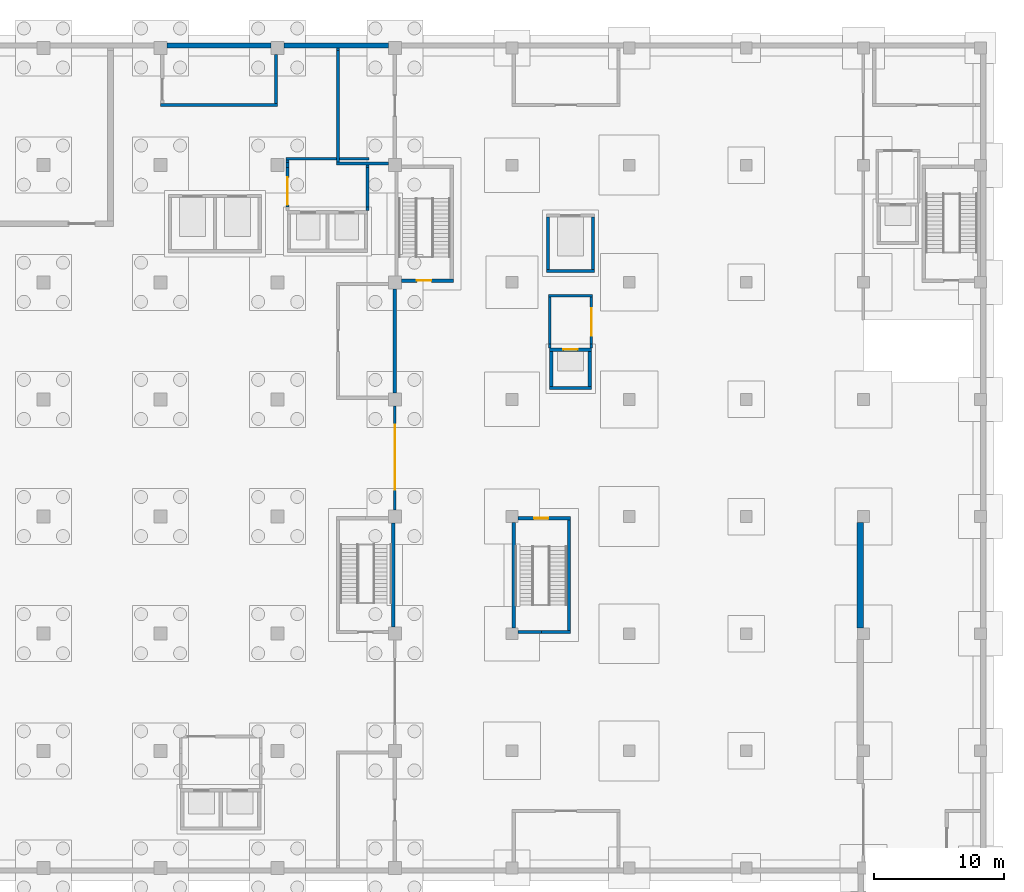
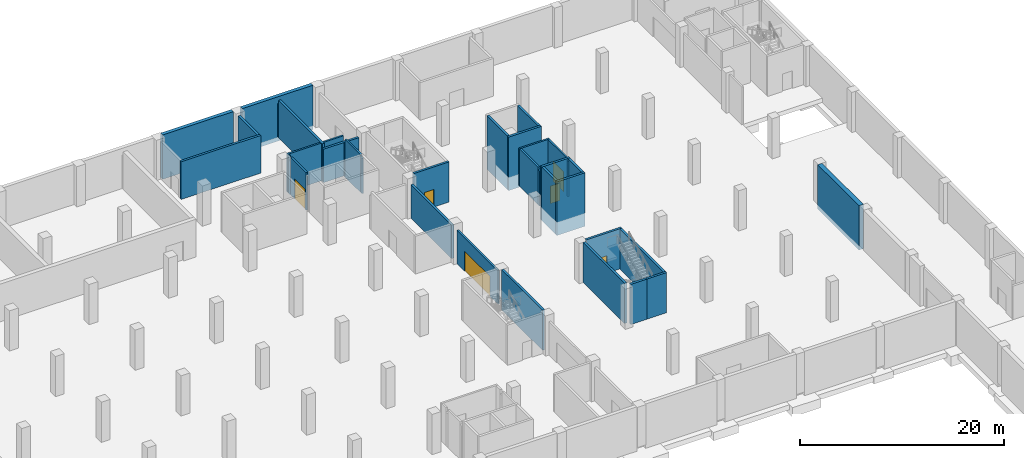
# One storey, part 10 of 17: 37 walls, 6 doors, 6 openings.
"""IFC4 building model written with IfcOpenShell, lengths in metres."""

from ifc_helpers import new_model, si_unit, direction, frame, frame_2d, origin, place, context, subcontext, project, spatial, rectangle, extrude, material, layer, layer_set, type_object, element, fill, save


model = new_model("IFC4")

# Units and contexts
model_context = context("Model", 3, precision=1e-05, world=origin(), true_north=direction((0.0, 1.0)))
body_context = subcontext(model_context, "Body", "Model", "MODEL_VIEW")
ifc_project = project(units=[si_unit("LENGTHUNIT", "METRE"), si_unit("AREAUNIT", "SQUARE_METRE"), si_unit("VOLUMEUNIT", "CUBIC_METRE"), si_unit("PLANEANGLEUNIT", "RADIAN"), si_unit("MASSUNIT", "GRAM", prefix="KILO")], contexts=[model_context])

# Site, building, storey
site_placement = place(None, origin())
site = spatial("IfcSite", under=ifc_project, at=site_placement, CompositionType="ELEMENT")
building_placement = place(site_placement, origin())
building = spatial("IfcBuilding", under=site, at=building_placement, Name="Guidao Yard Department Store", CompositionType="ELEMENT")
storey_placement = place(building_placement, frame((0.0, 0.0, -9.89990234375)))
storey = spatial("IfcBuildingStorey", under=building, at=storey_placement, Name="B2", CompositionType="ELEMENT", Elevation=-9.89990234375)

# Wall, opening, door
ifc_material_1 = material(Name="Autoclaved aerated concrete block A3.5 B06", Category="concrete")
ifc_layer_1 = layer(ifc_material_1, 0.199951171875)
ifc_layer_set_1 = layer_set([ifc_layer_1], Name="Compartment Fire Wall 200 Autoclaved Block EI 180")
wall_type_1 = type_object("IfcWallType", Name="Compartment Fire Wall 200 Autoclaved Block EI 180", PredefinedType="PARTITIONING", material=ifc_layer_set_1)
wall_1_placement = place(storey_placement, frame((63.0, 72.5, 0.0), z_axis=(0.0, 0.0, 1.0), x_axis=(0.0, 1.0, 0.0)))
wall_1 = element("IfcWall", 1, at=wall_1_placement, inside=storey, type_object=wall_type_1, Name="pt.wall.B2.0051", PredefinedType="PARTITIONING", context=body_context, shape_type="SweptSolid", body=[
    extrude(rectangle(XDim=8.0, YDim=0.199951171875, at=frame_2d((4.0, 0.0))), origin(), (0.0, 0.0, 1.0), 4.0),
])
opening_1_placement = place(wall_1_placement, frame((1.550048828125, 0.0, 0.0)))
opening_1 = element("IfcOpeningElement", 2, at=opening_1_placement, cuts=wall_1, Name="Opening B2-427", PredefinedType="OPENING", context=body_context, shape_type="SweptSolid", body=[
    extrude(rectangle(XDim=5.0, YDim=2.39990234375, at=frame_2d((2.5, 1.199951171875))), frame((0.0, 0.10986328125, 0.0), z_axis=(0.0, -1.0, 0.0), x_axis=(1.0, 0.0, 0.0)), (0.0, 0.0, 1.0), 0.219970703125),
])
ifc_material_2 = material(Name="Steel Q235", Category="steel")
door_type_1 = type_object("IfcDoorType", Name="Fire Shutter 5000 x 2400 FD90", OperationType="ROLLINGUP", PredefinedType="DOOR", material=ifc_material_2)
door_1_placement = place(opening_1_placement, origin())
door_1 = element("IfcDoor", 3, at=door_1_placement, inside=storey, type_object=door_type_1, Name="Door B2-427", OperationType="SINGLE_SWING_LEFT", OverallHeight=2.39990234375, OverallWidth=5.0, PredefinedType="DOOR", context=body_context, shape_type="SweptSolid", body=[
    extrude(rectangle(XDim=5.0, YDim=2.39990234375, at=frame_2d((2.5, 1.199951171875))), frame((0.0, 0.02490234375, 0.0), z_axis=(0.0, -1.0, 0.0), x_axis=(1.0, 0.0, 0.0)), (0.0, 0.0, 1.0), 0.050048828125),
])
fill(opening_1, door_1)

# Walls
ifc_material_3 = material(Name="Concrete C40", Category="concrete")
ifc_layer_2 = layer(ifc_material_3, 0.39990234375)
ifc_layer_set_2 = layer_set([ifc_layer_2], Name="Retaining wall 400 C40")
wall_type_2 = type_object("IfcWallType", Name="Retaining wall 400 C40", PredefinedType="SOLIDWALL", material=ifc_layer_set_2)
for number, where, z_axis, x_axis, name in (
    (4, (45.5, 108.199951171875, -0.5), (0.0, 0.0, 1.0), (1.0, 0.0, 0.0), "Retaining wall B2-055"),
    (5, (54.5, 108.199951171875, -0.5), (0.0, 0.0, 1.0), (1.0, 0.0, 0.0), "Retaining wall B2-056"),
):
    element("IfcWall", number, at=place(storey_placement, frame(where, z_axis=z_axis, x_axis=x_axis)), inside=storey, type_object=wall_type_2, Name=name, PredefinedType="SOLIDWALL", context=body_context, shape_type="SweptSolid", body=[
        extrude(rectangle(XDim=8.0, YDim=0.39990234375, at=frame_2d((4.0, 0.0))), origin(), (0.0, 0.0, 1.0), 5.2998046875),
    ])
ifc_material_4 = material(Name="Concrete C40", Category="concrete")
ifc_layer_3 = layer(ifc_material_4, 0.5)
ifc_layer_set_3 = layer_set([ifc_layer_3], Name="Retaining wall 500 C40")
wall_type_3 = type_object("IfcWallType", Name="Retaining wall 500 C40", PredefinedType="SOLIDWALL", material=ifc_layer_set_3)
wall_2_placement = place(storey_placement, frame((98.75, 63.449951171875, -0.5), z_axis=(0.0, 0.0, 1.0), x_axis=(0.0, 1.0, 0.0)))
element("IfcWall", 6, at=wall_2_placement, inside=storey, type_object=wall_type_3, Name="Ramp flank wall B2-068", PredefinedType="SOLIDWALL", context=body_context, shape_type="SweptSolid", body=[
    extrude(rectangle(XDim=8.10009765625, YDim=0.5, at=frame_2d((4.050048828125, 0.0))), origin(), (0.0, 0.0, 1.0), 5.2998046875),
])
ifc_material_5 = material(Name="Autoclaved aerated concrete block A3.5 B06", Category="concrete")
ifc_layer_4 = layer(ifc_material_5, 0.199951171875)
ifc_layer_set_4 = layer_set([ifc_layer_4], Name="Shaft Wall 200 Autoclaved Block EI 120")
wall_type_4 = type_object("IfcWallType", Name="Shaft Wall 200 Autoclaved Block EI 120", PredefinedType="PARTITIONING", material=ifc_layer_set_4)
wall_3_placement = place(storey_placement, frame((74.800048828125, 88.949951171875, 0.0), z_axis=(0.0, 0.0, 1.0), x_axis=(1.0, 0.0, 0.0)))
element("IfcWall", 7, at=wall_3_placement, inside=storey, type_object=wall_type_4, Name="pt.wall.B2.0019", PredefinedType="PARTITIONING", context=body_context, shape_type="SweptSolid", body=[
    extrude(rectangle(XDim=3.39990234375, YDim=0.199951171875, at=frame_2d((1.699951171875, 0.0))), origin(), (0.0, 0.0, 1.0), 4.5),
])
wall_4_placement = place(storey_placement, frame((54.64990234375, 99.5, 0.0), z_axis=(0.0, 0.0, 1.0), x_axis=(1.0, 0.0, 0.0)))
element("IfcWall", 8, at=wall_4_placement, inside=storey, type_object=wall_type_4, Name="pt.wall.B2.0025", PredefinedType="PARTITIONING", context=body_context, shape_type="SweptSolid", body=[
    extrude(rectangle(XDim=3.85009765625, YDim=0.199951171875, at=frame_2d((1.925048828125, 0.0))), origin(), (0.0, 0.0, 1.0), 4.5),
])
wall_5_placement = place(storey_placement, frame((58.75, 99.5, 0.0), z_axis=(0.0, 0.0, 1.0), x_axis=(1.0, 0.0, 0.0)))
element("IfcWall", 9, at=wall_5_placement, inside=storey, type_object=wall_type_4, Name="pt.wall.B2.0026", PredefinedType="PARTITIONING", context=body_context, shape_type="SweptSolid", body=[
    extrude(rectangle(XDim=2.25, YDim=0.199951171875, at=frame_2d((1.125, 0.0))), origin(), (0.0, 0.0, 1.0), 4.5),
])

# Wall, opening, door
wall_6_placement = place(storey_placement, frame((54.75, 95.800048828125, 0.0), z_axis=(0.0, 0.0, 1.0), x_axis=(0.0, 1.0, 0.0)))
wall_6 = element("IfcWall", 10, at=wall_6_placement, inside=storey, type_object=wall_type_4, Name="pt.wall.B2.0044a", PredefinedType="PARTITIONING", context=body_context, shape_type="SweptSolid", body=[
    extrude(rectangle(XDim=3.0, YDim=0.199951171875, at=frame_2d((1.5, 0.0))), origin(), (0.0, 0.0, 1.0), 4.5),
])
opening_2_placement = place(wall_6_placement, frame((2.25, 0.0, 0.0), z_axis=(0.0, 0.0, 1.0), x_axis=(-1.0, 0.0, 0.0)))
opening_2 = element("IfcOpeningElement", 11, at=opening_2_placement, cuts=wall_6, Name="Opening B2-421", PredefinedType="OPENING", context=body_context, shape_type="SweptSolid", body=[
    extrude(rectangle(XDim=2.10009765625, YDim=2.39990234375, at=frame_2d((1.050048828125, 1.199951171875))), frame((0.0, 0.10986328125, 0.0), z_axis=(0.0, -1.0, 0.0), x_axis=(1.0, 0.0, 0.0)), (0.0, 0.0, 1.0), 0.219970703125),
])
ifc_material_6 = material(Name="Timber door leaf with Steel Q235 frame", Category="steel")
door_type_2 = type_object("IfcDoorType", Name="Door 2100 x 2400 FD60 Double Leaf", OperationType="DOUBLE_DOOR_SINGLE_SWING", PredefinedType="DOOR", material=ifc_material_6)
door_2_placement = place(opening_2_placement, origin())
door_2 = element("IfcDoor", 12, at=door_2_placement, inside=storey, type_object=door_type_2, Name="Door B2-421", OperationType="DOUBLE_DOOR_SINGLE_SWING", OverallHeight=2.39990234375, OverallWidth=2.10009765625, PredefinedType="DOOR", context=body_context, shape_type="SweptSolid", body=[
    extrude(rectangle(XDim=2.10009765625, YDim=2.39990234375, at=frame_2d((1.050048828125, 1.199951171875))), frame((0.0, 0.02490234375, 0.0), z_axis=(0.0, -1.0, 0.0), x_axis=(1.0, 0.0, 0.0)), (0.0, 0.0, 1.0), 0.050048828125),
])
fill(opening_2, door_2)

# Walls
wall_7_placement = place(storey_placement, frame((54.75, 98.800048828125, 0.0), z_axis=(0.0, 0.0, 1.0), x_axis=(0.0, 1.0, 0.0)))
element("IfcWall", 13, at=wall_7_placement, inside=storey, type_object=wall_type_4, Name="pt.wall.B2.0044b", PredefinedType="PARTITIONING", context=body_context, shape_type="SweptSolid", body=[
    extrude(rectangle(XDim=0.39990234375, YDim=0.199951171875, at=frame_2d((0.199951171875, 0.0))), origin(), (0.0, 0.0, 1.0), 4.0),
])
wall_8_placement = place(storey_placement, frame((54.75, 99.199951171875, 0.0), z_axis=(0.0, 0.0, 1.0), x_axis=(0.0, 1.0, 0.0)))
element("IfcWall", 14, at=wall_8_placement, inside=storey, type_object=wall_type_4, Name="pt.wall.B2.0044c", PredefinedType="PARTITIONING", context=body_context, shape_type="SweptSolid", body=[
    extrude(rectangle(XDim=0.199951171875, YDim=0.199951171875, at=frame_2d((0.10009765625, 0.0))), origin(), (0.0, 0.0, 1.0), 4.5),
])
wall_9_placement = place(storey_placement, frame((60.89990234375, 95.5, 0.0), z_axis=(0.0, 0.0, 1.0), x_axis=(0.0, 1.0, 0.0)))
element("IfcWall", 15, at=wall_9_placement, inside=storey, type_object=wall_type_4, Name="pt.wall.B2.0048", PredefinedType="PARTITIONING", context=body_context, shape_type="SweptSolid", body=[
    extrude(rectangle(XDim=0.300048828125, YDim=0.199951171875, at=frame_2d((0.14990234375, 0.0))), origin(), (0.0, 0.0, 1.0), 4.199951171875),
])
wall_10_placement = place(storey_placement, frame((60.89990234375, 95.800048828125, 0.0), z_axis=(0.0, 0.0, 1.0), x_axis=(0.0, 1.0, 0.0)))
element("IfcWall", 16, at=wall_10_placement, inside=storey, type_object=wall_type_4, Name="pt.wall.B2.0048a", PredefinedType="PARTITIONING", context=body_context, shape_type="SweptSolid", body=[
    extrude(rectangle(XDim=3.0, YDim=0.199951171875, at=frame_2d((1.5, 0.0))), origin(), (0.0, 0.0, 1.0), 4.5),
])
wall_11_placement = place(storey_placement, frame((60.89990234375, 98.800048828125, 0.0), z_axis=(0.0, 0.0, 1.0), x_axis=(0.0, 1.0, 0.0)))
element("IfcWall", 17, at=wall_11_placement, inside=storey, type_object=wall_type_4, Name="pt.wall.B2.0048b", PredefinedType="PARTITIONING", context=body_context, shape_type="SweptSolid", body=[
    extrude(rectangle(XDim=0.199951171875, YDim=0.199951171875, at=frame_2d((0.10009765625, 0.0))), origin(), (0.0, 0.0, 1.0), 4.0),
])
wall_12_placement = place(storey_placement, frame((74.89990234375, 84.949951171875, 0.0), z_axis=(0.0, 0.0, 1.0), x_axis=(0.0, 1.0, 0.0)))
element("IfcWall", 18, at=wall_12_placement, inside=storey, type_object=wall_type_4, Name="pt.wall.B2.0056", PredefinedType="PARTITIONING", context=body_context, shape_type="SweptSolid", body=[
    extrude(rectangle(XDim=0.300048828125, YDim=0.199951171875, at=frame_2d((0.14990234375, 0.0))), origin(), (0.0, 0.0, 1.0), 4.199951171875),
])
wall_13_placement = place(storey_placement, frame((74.89990234375, 85.25, 0.0), z_axis=(0.0, 0.0, 1.0), x_axis=(0.0, 1.0, 0.0)))
element("IfcWall", 19, at=wall_13_placement, inside=storey, type_object=wall_type_4, Name="pt.wall.B2.0056a", PredefinedType="PARTITIONING", context=body_context, shape_type="SweptSolid", body=[
    extrude(rectangle(XDim=3.60009765625, YDim=0.199951171875, at=frame_2d((1.800048828125, 0.0))), origin(), (0.0, 0.0, 1.0), 4.5),
])
wall_14_placement = place(storey_placement, frame((78.10009765625, 84.949951171875, 0.0), z_axis=(0.0, 0.0, 1.0), x_axis=(0.0, 1.0, 0.0)))
element("IfcWall", 20, at=wall_14_placement, inside=storey, type_object=wall_type_4, Name="pt.wall.B2.0057", PredefinedType="PARTITIONING", context=body_context, shape_type="SweptSolid", body=[
    extrude(rectangle(XDim=0.300048828125, YDim=0.199951171875, at=frame_2d((0.14990234375, 0.0))), origin(), (0.0, 0.0, 1.0), 4.199951171875),
])

# Wall, opening, door
wall_15_placement = place(storey_placement, frame((78.10009765625, 85.25, 0.0), z_axis=(0.0, 0.0, 1.0), x_axis=(0.0, 1.0, 0.0)))
wall_15 = element("IfcWall", 21, at=wall_15_placement, inside=storey, type_object=wall_type_4, Name="pt.wall.B2.0057a", PredefinedType="PARTITIONING", context=body_context, shape_type="SweptSolid", body=[
    extrude(rectangle(XDim=3.60009765625, YDim=0.199951171875, at=frame_2d((1.800048828125, 0.0))), origin(), (0.0, 0.0, 1.0), 4.5),
])
opening_3_placement = place(wall_15_placement, frame((0.64990234375, 0.0, 0.0)))
opening_3 = element("IfcOpeningElement", 22, at=opening_3_placement, cuts=wall_15, Name="Opening B2-422", PredefinedType="OPENING", context=body_context, shape_type="SweptSolid", body=[
    extrude(rectangle(XDim=2.10009765625, YDim=2.39990234375, at=frame_2d((1.050048828125, 1.199951171875))), frame((0.0, 0.10986328125, 0.0), z_axis=(0.0, -1.0, 0.0), x_axis=(1.0, 0.0, 0.0)), (0.0, 0.0, 1.0), 0.219970703125),
])
door_3_placement = place(opening_3_placement, origin())
door_3 = element("IfcDoor", 23, at=door_3_placement, inside=storey, type_object=door_type_2, Name="Door B2-422", OperationType="DOUBLE_DOOR_SINGLE_SWING", OverallHeight=2.39990234375, OverallWidth=2.10009765625, PredefinedType="DOOR", context=body_context, shape_type="SweptSolid", body=[
    extrude(rectangle(XDim=2.10009765625, YDim=2.39990234375, at=frame_2d((1.050048828125, 1.199951171875))), frame((0.0, 0.02490234375, 0.0), z_axis=(0.0, -1.0, 0.0), x_axis=(1.0, 0.0, 0.0)), (0.0, 0.0, 1.0), 0.050048828125),
])
fill(opening_3, door_3)

# Walls
ifc_material_7 = material(Name="Concrete C40", Category="concrete")
ifc_layer_5 = layer(ifc_material_7, 0.25)
ifc_layer_set_5 = layer_set([ifc_layer_5], Name="Support Wall 250 Concrete C40")
wall_type_5 = type_object("IfcWallType", Name="Support Wall 250 Concrete C40", PredefinedType="SOLIDWALL", material=ifc_layer_set_5)
wall_16_placement = place(storey_placement, frame((58.5, 99.125, 0.0), z_axis=(0.0, 0.0, 1.0), x_axis=(1.0, 0.0, 0.0)))
element("IfcWall", 24, at=wall_16_placement, inside=storey, type_object=wall_type_5, Name="pt.wall.B2.0024", PredefinedType="SOLIDWALL", context=body_context, shape_type="SweptSolid", body=[
    extrude(rectangle(XDim=4.0, YDim=0.25, at=frame_2d((2.0, 0.0))), origin(), (0.0, 0.0, 1.0), 4.0),
])
wall_17_placement = place(storey_placement, frame((45.0, 103.625, 0.0), z_axis=(0.0, 0.0, 1.0), x_axis=(1.0, 0.0, 0.0)))
element("IfcWall", 25, at=wall_17_placement, inside=storey, type_object=wall_type_5, Name="pt.wall.B2.0028", PredefinedType="SOLIDWALL", context=body_context, shape_type="SweptSolid", body=[
    extrude(rectangle(XDim=9.0, YDim=0.25, at=frame_2d((4.5, 0.0))), origin(), (0.0, 0.0, 1.0), 4.5),
])
wall_18_placement = place(storey_placement, frame((53.875, 103.75, 0.0), z_axis=(0.0, 0.0, 1.0), x_axis=(0.0, 1.0, 0.0)))
element("IfcWall", 26, at=wall_18_placement, inside=storey, type_object=wall_type_5, Name="pt.wall.B2.0043", PredefinedType="SOLIDWALL", context=body_context, shape_type="SweptSolid", body=[
    extrude(rectangle(XDim=3.75, YDim=0.25, at=frame_2d((1.875, 0.0))), origin(), (0.0, 0.0, 1.0), 4.5),
])
wall_19_placement = place(storey_placement, frame((58.625, 99.25, 0.0), z_axis=(0.0, 0.0, 1.0), x_axis=(0.0, 1.0, 0.0)))
element("IfcWall", 27, at=wall_19_placement, inside=storey, type_object=wall_type_5, Name="pt.wall.B2.0047", PredefinedType="SOLIDWALL", context=body_context, shape_type="SweptSolid", body=[
    extrude(rectangle(XDim=8.550048828125, YDim=0.25, at=frame_2d((4.27490234375, 0.0))), origin(), (0.0, 0.0, 1.0), 4.5),
])
wall_20_placement = place(storey_placement, frame((58.625, 107.800048828125, 0.0), z_axis=(0.0, 0.0, 1.0), x_axis=(0.0, 1.0, 0.0)))
element("IfcWall", 28, at=wall_20_placement, inside=storey, type_object=wall_type_5, Name="pt.wall.B2.0047a", PredefinedType="SOLIDWALL", context=body_context, shape_type="SweptSolid", body=[
    extrude(rectangle(XDim=0.199951171875, YDim=0.25, at=frame_2d((0.10009765625, 0.0))), origin(), (0.0, 0.0, 1.0), 4.0),
])
wall_21_placement = place(storey_placement, frame((63.0, 81.5, 0.0), z_axis=(0.0, 0.0, 1.0), x_axis=(0.0, 1.0, 0.0)))
element("IfcWall", 29, at=wall_21_placement, inside=storey, type_object=wall_type_5, Name="pt.wall.B2.0052", PredefinedType="SOLIDWALL", context=body_context, shape_type="SweptSolid", body=[
    extrude(rectangle(XDim=8.0, YDim=0.25, at=frame_2d((4.0, 0.0))), origin(), (0.0, 0.0, 1.0), 4.0),
])
ifc_material_8 = material(Name="Concrete C40", Category="concrete")
ifc_layer_6 = layer(ifc_material_8, 0.25)
ifc_layer_set_6 = layer_set([ifc_layer_6], Name="Wall RC 250 C40 stair and shaft")
wall_type_6 = type_object("IfcWallType", Name="Wall RC 250 C40 stair and shaft", PredefinedType="SHEAR", material=ifc_layer_set_6)
wall_22_placement = place(storey_placement, frame((72.449951171875, 63.125, 0.0), z_axis=(0.0, 0.0, 1.0), x_axis=(1.0, 0.0, 0.0)))
element("IfcWall", 30, at=wall_22_placement, inside=storey, type_object=wall_type_6, Name="Stair wall BSG1", PredefinedType="SHEAR", context=body_context, shape_type="SweptSolid", body=[
    extrude(rectangle(XDim=1.800048828125, YDim=0.25, at=frame_2d((0.89990234375, 0.0))), origin(), (0.0, 0.0, 1.0), 4.7998046875),
])
wall_23_placement = place(storey_placement, frame((74.25, 63.125, 0.0), z_axis=(0.0, 0.0, 1.0), x_axis=(1.0, 0.0, 0.0)))
element("IfcWall", 31, at=wall_23_placement, inside=storey, type_object=wall_type_6, Name="Stair wall BSG1", PredefinedType="SHEAR", context=body_context, shape_type="SweptSolid", body=[
    extrude(rectangle(XDim=2.25, YDim=0.25, at=frame_2d((1.125, 0.0))), origin(), (0.0, 0.0, 1.0), 4.7998046875),
])

# Wall, opening, door
wall_24_placement = place(storey_placement, frame((72.449951171875, 71.875, 0.0), z_axis=(0.0, 0.0, 1.0), x_axis=(1.0, 0.0, 0.0)))
wall_24 = element("IfcWall", 32, at=wall_24_placement, inside=storey, type_object=wall_type_6, Name="Stair wall BSG1", PredefinedType="SHEAR", context=body_context, shape_type="SweptSolid", body=[
    extrude(rectangle(XDim=4.050048828125, YDim=0.25, at=frame_2d((2.02490234375, 0.0))), origin(), (0.0, 0.0, 1.0), 4.7998046875),
])
opening_4_placement = place(wall_24_placement, frame((2.35009765625, 0.0, 0.0), z_axis=(0.0, 0.0, 1.0), x_axis=(-1.0, 0.0, 0.0)))
opening_4 = element("IfcOpeningElement", 33, at=opening_4_placement, cuts=wall_24, Name="Opening B2-800", PredefinedType="OPENING", context=body_context, shape_type="SweptSolid", body=[
    extrude(rectangle(XDim=1.10009765625, YDim=2.10009765625, at=frame_2d((0.550048828125, 1.050048828125))), frame((0.0, 0.135009765625, 0.0), z_axis=(0.0, -1.0, 0.0), x_axis=(1.0, 0.0, 0.0)), (0.0, 0.0, 1.0), 0.27001953125),
])
ifc_material_9 = material(Name="Steel Q235", Category="steel")
door_type_3 = type_object("IfcDoorType", Name="Door fire-resisting 1100 x 2100 FD60", OperationType="SINGLE_SWING_LEFT", PredefinedType="DOOR", material=ifc_material_9)
door_4_placement = place(opening_4_placement, origin())
door_4 = element("IfcDoor", 34, at=door_4_placement, inside=storey, type_object=door_type_3, Name="Basement stair G1 door B2", OperationType="SINGLE_SWING_RIGHT", OverallHeight=2.10009765625, OverallWidth=1.10009765625, PredefinedType="DOOR", context=body_context, shape_type="SweptSolid", body=[
    extrude(rectangle(XDim=1.10009765625, YDim=2.10009765625, at=frame_2d((0.550048828125, 1.050048828125))), frame((0.0, 0.02490234375, 0.0), z_axis=(0.0, -1.0, 0.0), x_axis=(1.0, 0.0, 0.0)), (0.0, 0.0, 1.0), 0.050048828125),
])
fill(opening_4, door_4)

# Walls
wall_25_placement = place(storey_placement, frame((72.125, 63.449951171875, 0.0), z_axis=(0.0, 0.0, 1.0), x_axis=(0.0, 1.0, 0.0)))
element("IfcWall", 35, at=wall_25_placement, inside=storey, type_object=wall_type_6, Name="Stair wall BSG1", PredefinedType="SHEAR", context=body_context, shape_type="SweptSolid", body=[
    extrude(rectangle(XDim=8.10009765625, YDim=0.25, at=frame_2d((4.050048828125, 0.0))), origin(), (0.0, 0.0, 1.0), 4.7998046875),
])
wall_26_placement = place(storey_placement, frame((76.375, 63.25, 0.0), z_axis=(0.0, 0.0, 1.0), x_axis=(0.0, 1.0, 0.0)))
element("IfcWall", 36, at=wall_26_placement, inside=storey, type_object=wall_type_6, Name="Stair wall BSG1", PredefinedType="SHEAR", context=body_context, shape_type="SweptSolid", body=[
    extrude(rectangle(XDim=8.5, YDim=0.25, at=frame_2d((4.25, 0.0))), origin(), (0.0, 0.0, 1.0), 4.7998046875),
])

# Wall, opening, door
wall_27_placement = place(storey_placement, frame((63.5, 90.125, 0.0), z_axis=(0.0, 0.0, 1.0), x_axis=(1.0, 0.0, 0.0)))
wall_27 = element("IfcWall", 37, at=wall_27_placement, inside=storey, type_object=wall_type_6, Name="Stair wall BSH2", PredefinedType="SHEAR", context=body_context, shape_type="SweptSolid", body=[
    extrude(rectangle(XDim=4.0, YDim=0.25, at=frame_2d((2.0, 0.0))), origin(), (0.0, 0.0, 1.0), 4.7998046875),
])
opening_5_placement = place(wall_27_placement, frame((1.199951171875, 0.0, 0.0)))
opening_5 = element("IfcOpeningElement", 38, at=opening_5_placement, cuts=wall_27, Name="Opening B2-803", PredefinedType="OPENING", context=body_context, shape_type="SweptSolid", body=[
    extrude(rectangle(XDim=1.10009765625, YDim=2.10009765625, at=frame_2d((0.550048828125, 1.050048828125))), frame((0.0, 0.135009765625, 0.0), z_axis=(0.0, -1.0, 0.0), x_axis=(1.0, 0.0, 0.0)), (0.0, 0.0, 1.0), 0.27001953125),
])
door_5_placement = place(opening_5_placement, origin())
door_5 = element("IfcDoor", 39, at=door_5_placement, inside=storey, type_object=door_type_3, Name="Basement stair H2 door B2", OperationType="SINGLE_SWING_LEFT", OverallHeight=2.10009765625, OverallWidth=1.10009765625, PredefinedType="DOOR", context=body_context, shape_type="SweptSolid", body=[
    extrude(rectangle(XDim=1.10009765625, YDim=2.10009765625, at=frame_2d((0.550048828125, 1.050048828125))), frame((0.0, 0.02490234375, 0.0), z_axis=(0.0, -1.0, 0.0), x_axis=(1.0, 0.0, 0.0)), (0.0, 0.0, 1.0), 0.050048828125),
])
fill(opening_5, door_5)

# Wall
wall_28_placement = place(storey_placement, frame((62.875, 63.5, 0.0), z_axis=(0.0, 0.0, 1.0), x_axis=(0.0, 1.0, 0.0)))
element("IfcWall", 40, at=wall_28_placement, inside=storey, type_object=wall_type_6, Name="Stair wall BSH3", PredefinedType="SHEAR", context=body_context, shape_type="SweptSolid", body=[
    extrude(rectangle(XDim=8.0, YDim=0.25, at=frame_2d((4.0, 0.0))), origin(), (0.0, 0.0, 1.0), 4.7998046875),
])

# Wall, opening, door
wall_29_placement = place(storey_placement, frame((74.89990234375, 84.824951171875, -1.60009765625), z_axis=(0.0, 0.0, 1.0), x_axis=(1.0, 0.0, 0.0)))
wall_29 = element("IfcWall", 41, at=wall_29_placement, inside=storey, type_object=wall_type_6, Name="Lift shaft wall GL1", PredefinedType="SHEAR", context=body_context, shape_type="SweptSolid", body=[
    extrude(rectangle(XDim=3.2001953125, YDim=0.25, at=frame_2d((1.60009765625, 0.0))), origin(), (0.0, 0.0, 1.0), 6.39990234375),
])
opening_6_placement = place(wall_29_placement, frame((1.050048828125, 0.0, 1.60009765625)))
opening_6 = element("IfcOpeningElement", 42, at=opening_6_placement, cuts=wall_29, Name="Opening LD-GL1-B2", PredefinedType="OPENING", context=body_context, shape_type="SweptSolid", body=[
    extrude(rectangle(XDim=1.10009765625, YDim=2.10009765625, at=frame_2d((0.550048828125, 1.050048828125))), frame((0.0, 0.135009765625, 0.0), z_axis=(0.0, -1.0, 0.0), x_axis=(1.0, 0.0, 0.0)), (0.0, 0.0, 1.0), 0.27001953125),
])
ifc_material_10 = material(Name="Stainless steel 06Cr19Ni10", Category="steel")
door_type_4 = type_object("IfcDoorType", Name="Lift landing door fire-resisting sliding 1100 x 2100", OperationType="DOUBLE_DOOR_SLIDING", PredefinedType="DOOR", material=ifc_material_10)
door_6_placement = place(opening_6_placement, origin())
door_6 = element("IfcDoor", 43, at=door_6_placement, inside=storey, type_object=door_type_4, Name="Lift landing door GL1 B2", OperationType="DOUBLE_DOOR_SLIDING", OverallHeight=2.10009765625, OverallWidth=1.10009765625, PredefinedType="DOOR", context=body_context, shape_type="SweptSolid", body=[
    extrude(rectangle(XDim=1.10009765625, YDim=2.10009765625, at=frame_2d((0.550048828125, 1.050048828125))), frame((0.0, 0.02490234375, 0.0), z_axis=(0.0, -1.0, 0.0), x_axis=(1.0, 0.0, 0.0)), (0.0, 0.0, 1.0), 0.050048828125),
])
fill(opening_6, door_6)

# Walls
wall_30_placement = place(storey_placement, frame((74.89990234375, 81.875, -1.60009765625), z_axis=(0.0, 0.0, 1.0), x_axis=(1.0, 0.0, 0.0)))
element("IfcWall", 44, at=wall_30_placement, inside=storey, type_object=wall_type_6, Name="Lift shaft wall GL1", PredefinedType="SHEAR", context=body_context, shape_type="SweptSolid", body=[
    extrude(rectangle(XDim=3.2001953125, YDim=0.25, at=frame_2d((1.60009765625, 0.0))), origin(), (0.0, 0.0, 1.0), 6.39990234375),
])
for number, where, z_axis, x_axis, name in (
    (45, (75.02490234375, 82.0, -1.60009765625), (0.0, 0.0, 1.0), (0.0, 1.0, 0.0), "Lift shaft wall GL1"),
    (46, (77.97509765625, 82.0, -1.60009765625), (0.0, 0.0, 1.0), (0.0, 1.0, 0.0), "Lift shaft wall GL1"),
):
    element("IfcWall", number, at=place(storey_placement, frame(where, z_axis=z_axis, x_axis=x_axis)), inside=storey, type_object=wall_type_6, Name=name, PredefinedType="SHEAR", context=body_context, shape_type="SweptSolid", body=[
        extrude(rectangle(XDim=2.699951171875, YDim=0.25, at=frame_2d((1.35009765625, 0.0))), origin(), (0.0, 0.0, 1.0), 6.39990234375),
    ])
wall_31_placement = place(storey_placement, frame((74.64990234375, 90.875, -1.60009765625), z_axis=(0.0, 0.0, 1.0), x_axis=(1.0, 0.0, 0.0)))
element("IfcWall", 47, at=wall_31_placement, inside=storey, type_object=wall_type_6, Name="Lift shaft wall GG1", PredefinedType="SHEAR", context=body_context, shape_type="SweptSolid", body=[
    extrude(rectangle(XDim=3.7001953125, YDim=0.25, at=frame_2d((1.85009765625, 0.0))), origin(), (0.0, 0.0, 1.0), 6.39990234375),
])
for number, where, z_axis, x_axis, name in (
    (48, (74.77490234375, 91.0, -1.60009765625), (0.0, 0.0, 1.0), (0.0, 1.0, 0.0), "Lift shaft wall GG1"),
    (49, (78.22509765625, 91.0, -1.60009765625), (0.0, 0.0, 1.0), (0.0, 1.0, 0.0), "Lift shaft wall GG1"),
):
    element("IfcWall", number, at=place(storey_placement, frame(where, z_axis=z_axis, x_axis=x_axis)), inside=storey, type_object=wall_type_6, Name=name, PredefinedType="SHEAR", context=body_context, shape_type="SweptSolid", body=[
        extrude(rectangle(XDim=4.0, YDim=0.25, at=frame_2d((2.0, 0.0))), origin(), (0.0, 0.0, 1.0), 6.39990234375),
    ])

save(model, "model.ifc")
